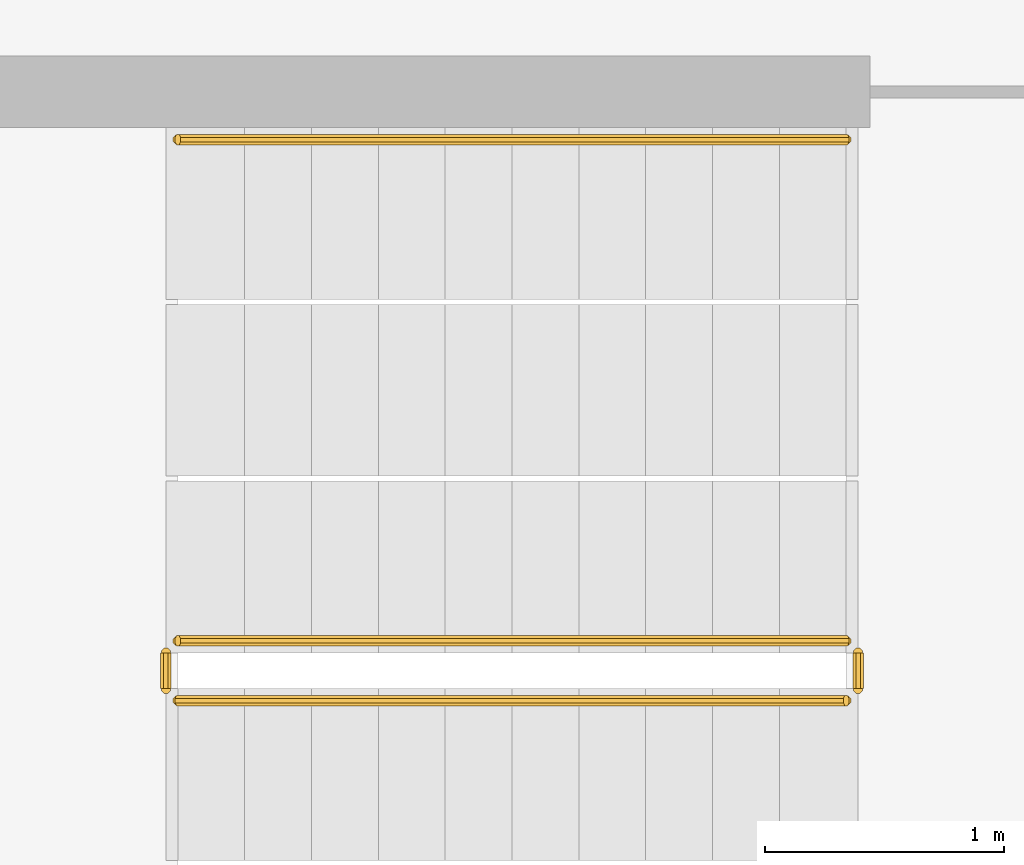
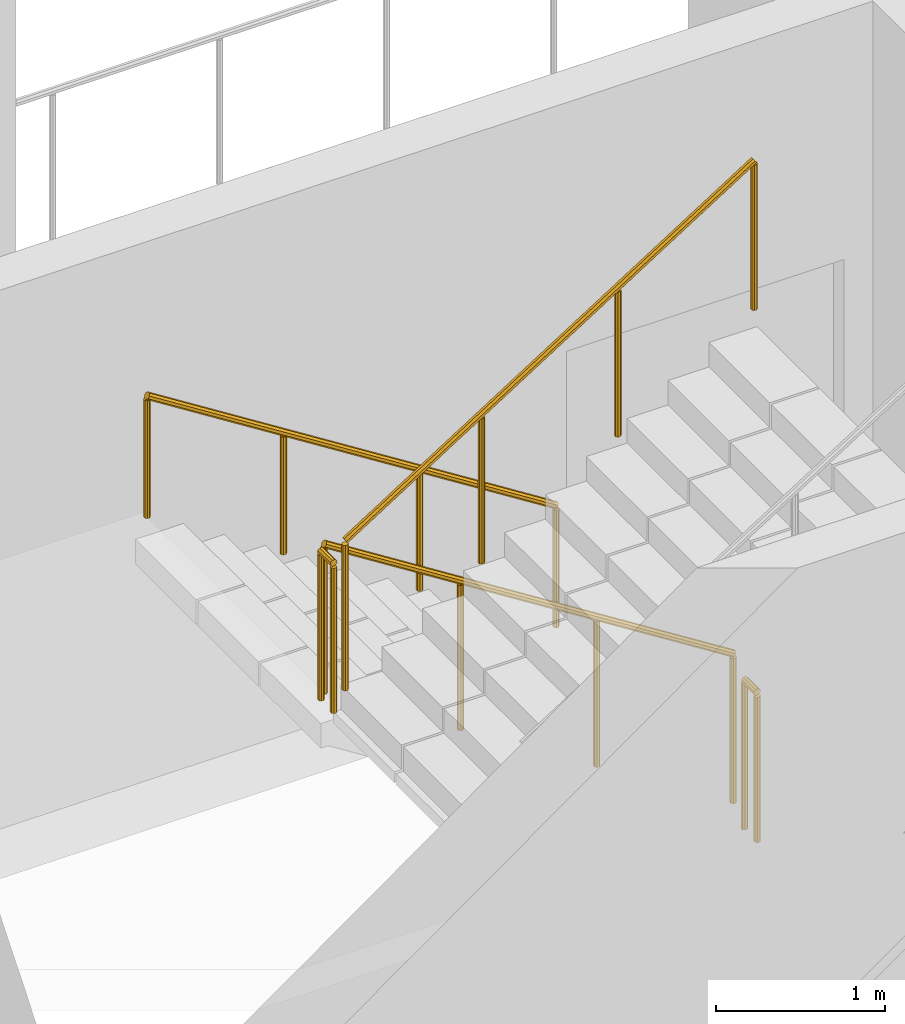
# One storey, part 20 of 26: 5 railings.
"""IFC4 building model written with IfcOpenShell, lengths in metres."""

from ifc_helpers import new_model, si_unit, direction, frame, origin, place, context, subcontext, project, spatial, polyline, outline, extrude, material, type_object, element, save


model = new_model("IFC4")

# Units and contexts
model_context = context("Model", 3, precision=1e-05, world=origin(), true_north=direction((0.0, 1.0)))
body_context = subcontext(model_context, "Body", "Model", "MODEL_VIEW")
ifc_project = project(units=[si_unit("LENGTHUNIT", "METRE"), si_unit("AREAUNIT", "SQUARE_METRE"), si_unit("VOLUMEUNIT", "CUBIC_METRE"), si_unit("PLANEANGLEUNIT", "RADIAN"), si_unit("MASSUNIT", "GRAM", prefix="KILO")], contexts=[model_context])

# Site, building, storey
site_placement = place(None, origin())
site = spatial("IfcSite", under=ifc_project, at=site_placement, CompositionType="ELEMENT")
building_placement = place(site_placement, origin())
building = spatial("IfcBuilding", under=site, at=building_placement, Name="Cormorant Relay Tower", CompositionType="ELEMENT")
storey_placement = place(building_placement, frame((0.0, 0.0, 277.5)))
storey = spatial("IfcBuildingStorey", under=building, at=storey_placement, Name="L62", CompositionType="ELEMENT", Elevation=277.5)

# Railings
ifc_material_1 = material(Name="Steel ASTM A572 Grade 50 (Fy 345 MPa)", Category="steel")
railing_type_1 = type_object("IfcRailingType", Name="Stair guard 1100", PredefinedType="GUARDRAIL", material=ifc_material_1)
railing_1_placement = place(storey_placement, frame((1.60009765625, -18.27490234375, 0.17724609375)))
element("IfcRailing", 1, at=railing_1_placement, inside=storey, type_object=railing_type_1, Name="L62 RK1 stair guard 1", PredefinedType="GUARDRAIL", context=body_context, shape_type="SweptSolid", body=[
    extrude(outline(polyline([(0.022216796875, 0.00927734375), (0.00927734375, 0.022216796875), (-0.00927734375, 0.022216796875), (-0.022216796875, 0.00927734375), (-0.022216796875, -0.00927734375), (-0.00927734375, -0.022216796875), (0.00927734375, -0.022216796875), (0.022216796875, -0.00927734375), (0.022216796875, 0.00927734375)])), frame((0.0, 0.0, 1.076171875), z_axis=(-0.844908973607, 0.0, 0.534910110503), x_axis=(0.0, -1.0, 0.0)), (0.0, 0.0, 1.0), 3.31396484375),
    extrude(outline(polyline([(0.019287109375, 0.008056640625), (0.008056640625, 0.019287109375), (-0.008056640625, 0.019287109375), (-0.019287109375, 0.008056640625), (-0.019287109375, -0.008056640625), (-0.008056640625, -0.019287109375), (0.008056640625, -0.019287109375), (0.019287109375, -0.008056640625), (0.019287109375, 0.008056640625)])), origin(), (0.0, 0.0, 1.0), 1.052001953125),
    extrude(outline(polyline([(0.019287109375, 0.008056640625), (0.008056640625, 0.019287109375), (-0.008056640625, 0.019287109375), (-0.019287109375, 0.008056640625), (-0.019287109375, -0.008056640625), (-0.008056640625, -0.019287109375), (0.008056640625, -0.019287109375), (0.019287109375, -0.008056640625), (0.019287109375, 0.008056640625)])), frame((-0.933349609375, 0.0, 0.5908203125)), (0.0, 0.0, 1.0), 1.052001953125),
    extrude(outline(polyline([(0.019287109375, 0.008056640625), (0.008056640625, 0.019287109375), (-0.008056640625, 0.019287109375), (-0.019287109375, 0.008056640625), (-0.019287109375, -0.008056640625), (-0.008056640625, -0.019287109375), (0.008056640625, -0.019287109375), (0.019287109375, -0.008056640625), (0.019287109375, 0.008056640625)])), frame((-1.86669921875, 0.0, 1.181884765625)), (0.0, 0.0, 1.0), 1.052001953125),
    extrude(outline(polyline([(0.019287109375, 0.008056640625), (0.008056640625, 0.019287109375), (-0.008056640625, 0.019287109375), (-0.019287109375, 0.008056640625), (-0.019287109375, -0.008056640625), (-0.008056640625, -0.019287109375), (0.008056640625, -0.019287109375), (0.019287109375, -0.008056640625), (0.019287109375, 0.008056640625)])), frame((-2.800048828125, 0.0, 1.772705078125)), (0.0, 0.0, 1.0), 1.052001953125),
])
railing_2_placement = place(storey_placement, frame((-1.25, -18.324951171875, 1.949951171875)))
element("IfcRailing", 2, at=railing_2_placement, inside=storey, type_object=railing_type_1, Name="L62 RK1 stair guard 2", PredefinedType="GUARDRAIL", context=body_context, shape_type="SweptSolid", body=[
    extrude(outline(polyline([(0.022216796875, 0.00927734375), (0.00927734375, 0.022216796875), (-0.00927734375, 0.022216796875), (-0.022216796875, 0.00927734375), (-0.022216796875, -0.00927734375), (-0.00927734375, -0.022216796875), (0.00927734375, -0.022216796875), (0.022216796875, -0.00927734375), (0.022216796875, 0.00927734375)])), frame((0.0, 0.0, 1.076171875), z_axis=(0.0, -1.0, 0.0), x_axis=(1.0, 0.0, 0.0)), (0.0, 0.0, 1.0), 0.150146484375),
    extrude(outline(polyline([(0.019287109375, 0.008056640625), (0.008056640625, 0.019287109375), (-0.008056640625, 0.019287109375), (-0.019287109375, 0.008056640625), (-0.019287109375, -0.008056640625), (-0.008056640625, -0.019287109375), (0.008056640625, -0.019287109375), (0.019287109375, -0.008056640625), (0.019287109375, 0.008056640625)])), origin(), (0.0, 0.0, 1.0), 1.052001953125),
    extrude(outline(polyline([(0.019287109375, 0.008056640625), (0.008056640625, 0.019287109375), (-0.008056640625, 0.019287109375), (-0.019287109375, 0.008056640625), (-0.019287109375, -0.008056640625), (-0.008056640625, -0.019287109375), (0.008056640625, -0.019287109375), (0.019287109375, -0.008056640625), (0.019287109375, 0.008056640625)])), frame((0.0, -0.150146484375, 0.0)), (0.0, 0.0, 1.0), 1.052001953125),
])
railing_3_placement = place(storey_placement, frame((-1.199951171875, -18.52490234375, 2.127197265625)))
element("IfcRailing", 3, at=railing_3_placement, inside=storey, type_object=railing_type_1, Name="L62 RK1 stair guard 3", PredefinedType="GUARDRAIL", context=body_context, shape_type="SweptSolid", body=[
    extrude(outline(polyline([(0.022216796875, 0.00927734375), (0.00927734375, 0.022216796875), (-0.00927734375, 0.022216796875), (-0.022216796875, 0.00927734375), (-0.022216796875, -0.00927734375), (-0.00927734375, -0.022216796875), (0.00927734375, -0.022216796875), (0.022216796875, -0.00927734375), (0.022216796875, 0.00927734375)])), frame((0.0, 0.0, 1.076171875), z_axis=(0.844908973607, 0.0, 0.534910110503), x_axis=(0.0, 1.0, 0.0)), (0.0, 0.0, 1.0), 3.31396484375),
    extrude(outline(polyline([(0.019287109375, 0.008056640625), (0.008056640625, 0.019287109375), (-0.008056640625, 0.019287109375), (-0.019287109375, 0.008056640625), (-0.019287109375, -0.008056640625), (-0.008056640625, -0.019287109375), (0.008056640625, -0.019287109375), (0.019287109375, -0.008056640625), (0.019287109375, 0.008056640625)])), origin(), (0.0, 0.0, 1.0), 1.052001953125),
    extrude(outline(polyline([(0.019287109375, 0.008056640625), (0.008056640625, 0.019287109375), (-0.008056640625, 0.019287109375), (-0.019287109375, 0.008056640625), (-0.019287109375, -0.008056640625), (-0.008056640625, -0.019287109375), (0.008056640625, -0.019287109375), (0.019287109375, -0.008056640625), (0.019287109375, 0.008056640625)])), frame((0.933349609375, 0.0, 0.5908203125)), (0.0, 0.0, 1.0), 1.052001953125),
    extrude(outline(polyline([(0.019287109375, 0.008056640625), (0.008056640625, 0.019287109375), (-0.008056640625, 0.019287109375), (-0.019287109375, 0.008056640625), (-0.019287109375, -0.008056640625), (-0.008056640625, -0.019287109375), (0.008056640625, -0.019287109375), (0.019287109375, -0.008056640625), (0.019287109375, 0.008056640625)])), frame((1.86669921875, 0.0, 1.181884765625)), (0.0, 0.0, 1.0), 1.052001953125),
    extrude(outline(polyline([(0.019287109375, 0.008056640625), (0.008056640625, 0.019287109375), (-0.008056640625, 0.019287109375), (-0.019287109375, 0.008056640625), (-0.019287109375, -0.008056640625), (-0.008056640625, -0.019287109375), (0.008056640625, -0.019287109375), (0.019287109375, -0.008056640625), (0.019287109375, 0.008056640625)])), frame((2.800048828125, 0.0, 1.772705078125)), (0.0, 0.0, 1.0), 1.052001953125),
])
railing_4_placement = place(storey_placement, frame((1.64990234375, -18.324951171875, 0.0)))
element("IfcRailing", 4, at=railing_4_placement, inside=storey, type_object=railing_type_1, Name="L62 RK1 stair guard 4", PredefinedType="GUARDRAIL", context=body_context, shape_type="SweptSolid", body=[
    extrude(outline(polyline([(0.022216796875, 0.00927734375), (0.00927734375, 0.022216796875), (-0.00927734375, 0.022216796875), (-0.022216796875, 0.00927734375), (-0.022216796875, -0.00927734375), (-0.00927734375, -0.022216796875), (0.00927734375, -0.022216796875), (0.022216796875, -0.00927734375), (0.022216796875, 0.00927734375)])), frame((0.0, 0.0, 1.076171875), z_axis=(0.0, -1.0, 0.0), x_axis=(1.0, 0.0, 0.0)), (0.0, 0.0, 1.0), 0.150146484375),
    extrude(outline(polyline([(0.019287109375, 0.008056640625), (0.008056640625, 0.019287109375), (-0.008056640625, 0.019287109375), (-0.019287109375, 0.008056640625), (-0.019287109375, -0.008056640625), (-0.008056640625, -0.019287109375), (0.008056640625, -0.019287109375), (0.019287109375, -0.008056640625), (0.019287109375, 0.008056640625)])), origin(), (0.0, 0.0, 1.0), 1.052001953125),
    extrude(outline(polyline([(0.019287109375, 0.008056640625), (0.008056640625, 0.019287109375), (-0.008056640625, 0.019287109375), (-0.019287109375, 0.008056640625), (-0.019287109375, -0.008056640625), (-0.008056640625, -0.019287109375), (0.008056640625, -0.019287109375), (0.019287109375, -0.008056640625), (0.019287109375, 0.008056640625)])), frame((0.0, -0.150146484375, 0.0)), (0.0, 0.0, 1.0), 1.052001953125),
])
ifc_material_2 = material(Name="Steel ASTM A572 Grade 50 (Fy 345 MPa)", Category="steel")
railing_type_2 = type_object("IfcRailingType", Name="Stair handrail 900", PredefinedType="HANDRAIL", material=ifc_material_2)
railing_5_placement = place(storey_placement, frame((1.60009765625, -16.175048828125, 0.17724609375)))
element("IfcRailing", 5, at=railing_5_placement, inside=storey, type_object=railing_type_2, Name="L62 RK1 stair handrail 1", PredefinedType="HANDRAIL", context=body_context, shape_type="SweptSolid", body=[
    extrude(outline(polyline([(0.022216796875, 0.00927734375), (0.00927734375, 0.022216796875), (-0.00927734375, 0.022216796875), (-0.022216796875, 0.00927734375), (-0.022216796875, -0.00927734375), (-0.00927734375, -0.022216796875), (0.00927734375, -0.022216796875), (0.022216796875, -0.00927734375), (0.022216796875, 0.00927734375)])), frame((0.0, 0.0, 0.8759765625), z_axis=(-0.844908973607, 0.0, 0.534910110503), x_axis=(0.0, -1.0, 0.0)), (0.0, 0.0, 1.0), 3.31396484375),
    extrude(outline(polyline([(0.019287109375, 0.008056640625), (0.008056640625, 0.019287109375), (-0.008056640625, 0.019287109375), (-0.019287109375, 0.008056640625), (-0.019287109375, -0.008056640625), (-0.008056640625, -0.019287109375), (0.008056640625, -0.019287109375), (0.019287109375, -0.008056640625), (0.019287109375, 0.008056640625)])), origin(), (0.0, 0.0, 1.0), 0.851806640625),
    extrude(outline(polyline([(0.019287109375, 0.008056640625), (0.008056640625, 0.019287109375), (-0.008056640625, 0.019287109375), (-0.019287109375, 0.008056640625), (-0.019287109375, -0.008056640625), (-0.008056640625, -0.019287109375), (0.008056640625, -0.019287109375), (0.019287109375, -0.008056640625), (0.019287109375, 0.008056640625)])), frame((-0.933349609375, 0.0, 0.5908203125)), (0.0, 0.0, 1.0), 0.851806640625),
    extrude(outline(polyline([(0.019287109375, 0.008056640625), (0.008056640625, 0.019287109375), (-0.008056640625, 0.019287109375), (-0.019287109375, 0.008056640625), (-0.019287109375, -0.008056640625), (-0.008056640625, -0.019287109375), (0.008056640625, -0.019287109375), (0.019287109375, -0.008056640625), (0.019287109375, 0.008056640625)])), frame((-1.86669921875, 0.0, 1.181884765625)), (0.0, 0.0, 1.0), 0.851806640625),
    extrude(outline(polyline([(0.019287109375, 0.008056640625), (0.008056640625, 0.019287109375), (-0.008056640625, 0.019287109375), (-0.019287109375, 0.008056640625), (-0.019287109375, -0.008056640625), (-0.008056640625, -0.019287109375), (0.008056640625, -0.019287109375), (0.019287109375, -0.008056640625), (0.019287109375, 0.008056640625)])), frame((-2.800048828125, 0.0, 1.772705078125)), (0.0, 0.0, 1.0), 0.851806640625),
])

save(model, "model.ifc")
